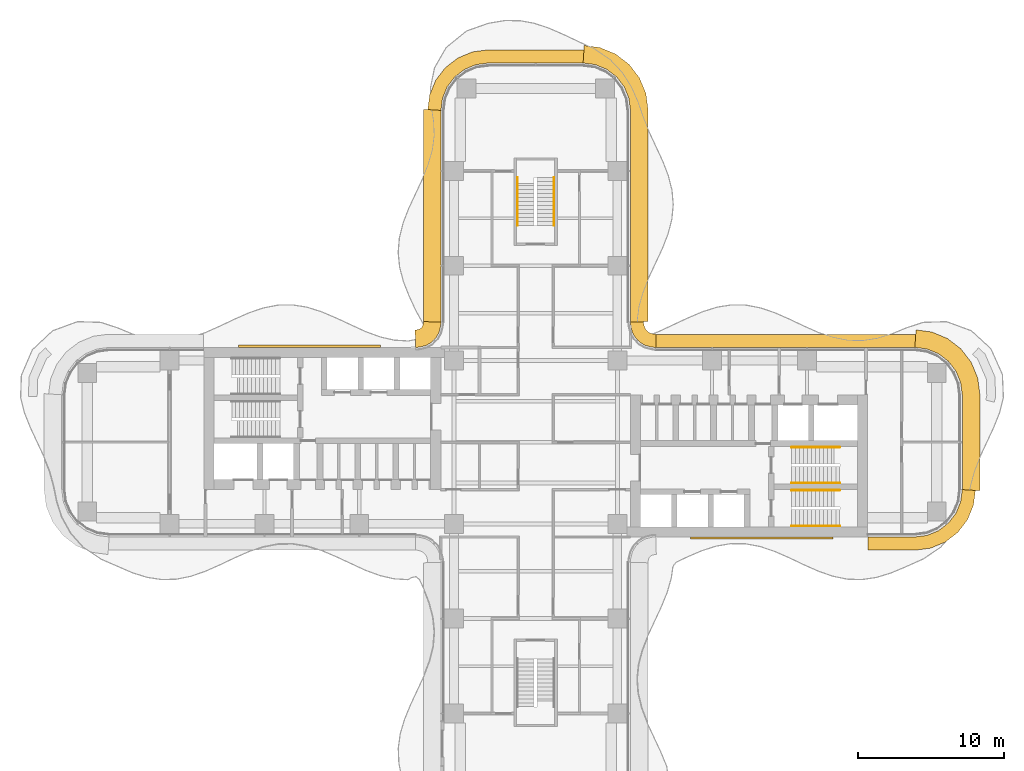
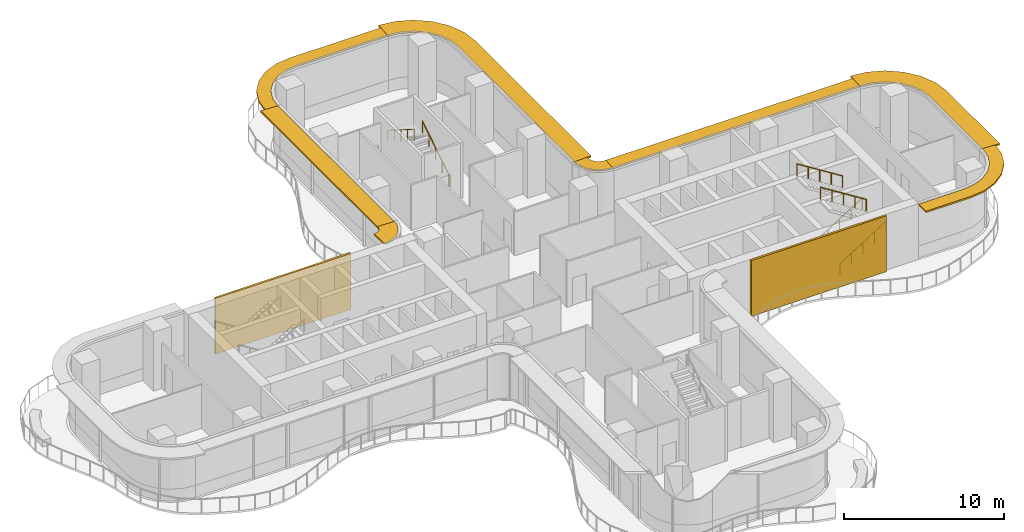
# One storey, part 20 of 20: 8 shading devices, 6 railings, 2 coverings.
"""IFC4 building model written with IfcOpenShell, lengths in metres."""

import ifcopenshell
import ifcopenshell.guid

model = None  # the IFC model being written
_history = None  # IfcOwnerHistory: only IFC2X3 demands one
_inside = {}  # id of a spatial element -> (the spatial element, [elements in it])
_under = {}  # id of a project, library or spatial element -> (it, [spatial elements below it])
_declared = {}  # id of a project -> (the project, [libraries it declares])
_typed = {}  # id of a type object -> (the type object, [elements of that type])
_made_of = {}  # id of a material, layer set ... -> (it, [elements and type objects made of it])


def new_model(schema):
    """Start an empty IFC model of exactly this schema.

    Asked for "IFC4X3", IfcOpenShell would pick the latest addendum, in which some entities
    have other attributes; the version numbers below select the first issue.
    IFC2X3 requires an IfcOwnerHistory on every rooted entity: one is made here for all.
    """
    global model, _history
    if schema == "IFC4X3":
        model = ifcopenshell.file(schema_version=(4, 3, 0, 0))
    else:
        model = ifcopenshell.file(schema=schema)
    _inside.clear()
    _under.clear()
    _declared.clear()
    _typed.clear()
    _made_of.clear()
    _history = None
    if model.schema == "IFC2X3":
        org = make("IfcOrganization", Name="unknown")
        user = make(
            "IfcPersonAndOrganization",
            ThePerson=make("IfcPerson", FamilyName="unknown"),
            TheOrganization=org,
        )
        app = make(
            "IfcApplication",
            ApplicationDeveloper=org,
            Version="unknown",
            ApplicationFullName="unknown",
            ApplicationIdentifier="unknown",
        )
        _history = make(
            "IfcOwnerHistory",
            OwningUser=user,
            OwningApplication=app,
            ChangeAction="ADDED",
            CreationDate=0,
        )
    return model


def make(cls, **values):
    """One entity of the class cls with the attributes given. An attribute that is None is left unset."""
    return model.create_entity(
        cls, **{name: value for name, value in values.items() if value is not None}
    )


def rooted(cls, **values):
    """An entity with a GlobalId (a new one), such as an element, a storey or a relation."""
    return make(cls, GlobalId=ifcopenshell.guid.new(), OwnerHistory=_history, **values)


def si_unit(unit_type, name, prefix=None):
    """IfcSIUnit, for example si_unit("LENGTHUNIT", "METRE", prefix="MILLI")."""
    return make("IfcSIUnit", UnitType=unit_type, Prefix=prefix, Name=name)


def assignment(units):
    """IfcUnitAssignment: the units of a project."""
    return None if units is None else make("IfcUnitAssignment", Units=units)


def point(xyz):
    """IfcCartesianPoint."""
    return None if xyz is None else make("IfcCartesianPoint", Coordinates=xyz)


def direction(xyz):
    """IfcDirection."""
    return None if xyz is None else make("IfcDirection", DirectionRatios=xyz)


def frame(location, z_axis=None, x_axis=None):
    """IfcAxis2Placement3D, a coordinate frame: its origin and axes. An axis left out is left unset."""
    return make(
        "IfcAxis2Placement3D",
        Location=point(location),
        Axis=direction(z_axis),
        RefDirection=direction(x_axis),
    )


def frame_2d(location, x_axis=None):
    """IfcAxis2Placement2D, a coordinate frame in the plane: its origin and x axis."""
    return make(
        "IfcAxis2Placement2D", Location=point(location), RefDirection=direction(x_axis)
    )


def origin():
    """The frame at (0, 0, 0) with its axes left unset."""
    return frame((0.0, 0.0, 0.0))


def origin_2d():
    """The frame at (0, 0) in the plane with its x axis left unset."""
    return frame_2d((0.0, 0.0))


def place(relative_to, where):
    """IfcLocalPlacement: puts the frame where relative to a parent placement (None: the world)."""
    return make(
        "IfcLocalPlacement", PlacementRelTo=relative_to, RelativePlacement=where
    )


def context(
    kind, dimensions, precision=None, world=None, true_north=None, identifier=None
):
    """IfcGeometricRepresentationContext, for example the 3D "Model" context."""
    return make(
        "IfcGeometricRepresentationContext",
        ContextIdentifier=identifier,
        ContextType=kind,
        CoordinateSpaceDimension=dimensions,
        Precision=precision,
        WorldCoordinateSystem=world,
        TrueNorth=true_north,
    )


def subcontext(parent, identifier, kind, view, scale=None):
    """IfcGeometricRepresentationSubContext, for example "Body" below "Model"."""
    return make(
        "IfcGeometricRepresentationSubContext",
        ContextIdentifier=identifier,
        ContextType=kind,
        ParentContext=parent,
        TargetScale=scale,
        TargetView=view,
    )


def project(units=None, contexts=None):
    """IfcProject with its units and contexts."""
    return rooted(
        "IfcProject",
        Name="project",
        RepresentationContexts=contexts,
        UnitsInContext=assignment(units),
    )


def spatial(cls, under=None, at=None, **own):
    """A site, building, storey or space (cls), placed at a placement, below another one or the project."""
    s = rooted(cls, ObjectPlacement=at, **own)
    if under is not None:
        _under.setdefault(under.id(), (under, []))[1].append(s)
    return s


def polyline(points):
    """IfcPolyline through the points."""
    return make("IfcPolyline", Points=[point(p) for p in points])


def profile(cls, at=None, kind="AREA", **sizes):
    """A parametric profile (cls). Its sizes go by their IFC names, for example OverallWidth=200.0."""
    return make(cls, ProfileType=kind, Position=at, **sizes)


def circle(**sizes):
    """IfcCircleProfileDef."""
    return profile("IfcCircleProfileDef", **sizes)


def outline(outer, holes=None, kind="AREA"):
    """IfcArbitraryClosedProfileDef: a profile drawn as a closed curve; with holes, ...WithVoids."""
    if holes is None:
        return make("IfcArbitraryClosedProfileDef", ProfileType=kind, OuterCurve=outer)
    return make(
        "IfcArbitraryProfileDefWithVoids",
        ProfileType=kind,
        OuterCurve=outer,
        InnerCurves=holes,
    )


def extrude(swept, where, along, depth):
    """IfcExtrudedAreaSolid: the profile swept, set in the frame where, extruded along a direction by depth."""
    return make(
        "IfcExtrudedAreaSolid",
        SweptArea=swept,
        Position=where,
        ExtrudedDirection=direction(along),
        Depth=depth,
    )


def shape(context_of_items, identifier, shape_type, items):
    """IfcShapeRepresentation: the items that make up one representation, for example the "Body"."""
    return make(
        "IfcShapeRepresentation",
        ContextOfItems=context_of_items,
        RepresentationIdentifier=identifier,
        RepresentationType=shape_type,
        Items=items,
    )


def source(mapping_origin, context_of_items, identifier, shape_type, items):
    """IfcRepresentationMap: a shape defined once, which mapped items show again and again."""
    return make(
        "IfcRepresentationMap",
        MappingOrigin=mapping_origin,
        MappedRepresentation=shape(context_of_items, identifier, shape_type, items),
    )


def transform(
    local_origin,
    x_axis=None,
    y_axis=None,
    z_axis=None,
    scale=None,
    scale2=None,
    scale3=None,
    uniform=True,
):
    """IfcCartesianTransformationOperator3D, or its non-uniform kind. x_axis, y_axis, z_axis: its Axis1, 2, 3."""
    if uniform:
        return make(
            "IfcCartesianTransformationOperator3D",
            Axis1=direction(x_axis),
            Axis2=direction(y_axis),
            LocalOrigin=point(local_origin),
            Scale=scale,
            Axis3=direction(z_axis),
        )
    return make(
        "IfcCartesianTransformationOperator3DnonUniform",
        Axis1=direction(x_axis),
        Axis2=direction(y_axis),
        LocalOrigin=point(local_origin),
        Scale=scale,
        Axis3=direction(z_axis),
        Scale2=scale2,
        Scale3=scale3,
    )


def mapped(mapping_source, mapping_target):
    """IfcMappedItem: shows the shape of a source again, moved by a transform."""
    return make(
        "IfcMappedItem", MappingSource=mapping_source, MappingTarget=mapping_target
    )


def material(Name=None, Category=None):
    """IfcMaterial."""
    return make("IfcMaterial", Name=Name, Category=Category)


def layer(
    of_material, thickness, ventilated=None, Name=None, Category=None, Priority=None
):
    """IfcMaterialLayer: one layer of a wall or slab, of a material (None: an air gap)."""
    return make(
        "IfcMaterialLayer",
        Material=of_material,
        LayerThickness=thickness,
        IsVentilated=ventilated,
        Name=Name,
        Category=Category,
        Priority=Priority,
    )


def layer_set(layers, Name=None):
    """IfcMaterialLayerSet."""
    return make("IfcMaterialLayerSet", MaterialLayers=layers, LayerSetName=Name)


def made_of(thing, what):
    """Note that an element or type object is made of a material, layer set ...; save() writes the relation."""
    if what is not None:
        _made_of.setdefault(what.id(), (what, []))[1].append(thing)
    return thing


def type_object(cls, material=None, **own):
    """A type object (cls), such as IfcWallType, which elements share."""
    return made_of(rooted(cls, **own), material)


def element(
    cls,
    number,
    at=None,
    inside=None,
    cuts=None,
    type_object=None,
    material=None,
    context=None,
    identifier="Body",
    shape_type=None,
    held_by="IfcProductDefinitionShape",
    body=None,
    shapes=None,
    **own,
):
    """One element of the class cls, such as IfcWall. Its Tag is "e" and its number.

    at: its placement. inside: the storey or other place that contains it. cuts: it is an
    opening in that element (IfcRelVoidsElement). A single representation is given by context,
    identifier, shape_type and body (its items); several are given by shapes. held_by: the class
    of the entity that holds the representations. save() writes the other relations.
    """
    e = rooted(cls, Tag="e%d" % number, ObjectPlacement=at, **own)
    if body is not None:
        shapes = [shape(context, identifier, shape_type, body)]
    if shapes is not None:
        e.Representation = make(held_by, Representations=shapes)
    if inside is not None:
        _inside.setdefault(inside.id(), (inside, []))[1].append(e)
    if cuts is not None:
        rooted(
            "IfcRelVoidsElement", RelatingBuildingElement=cuts, RelatedOpeningElement=e
        )
    if type_object is not None:
        _typed.setdefault(type_object.id(), (type_object, []))[1].append(e)
    return made_of(e, material)


def aggregate(whole, parts):
    """IfcRelAggregates: a whole, such as a stair, and the parts it consists of."""
    return rooted("IfcRelAggregates", RelatingObject=whole, RelatedObjects=parts)


def save(model, path):
    """Write the relations noted so far, then the file.

    IfcRelAggregates (storeys below a building ...), IfcRelContainedInSpatialStructure (elements
    in a storey), IfcRelDefinesByType, IfcRelAssociatesMaterial and IfcRelDeclares: one each for
    every whole, place, type object, material and project.
    """
    for whole, parts in _under.values():
        aggregate(whole, parts)
    for where, things in _inside.values():
        rooted(
            "IfcRelContainedInSpatialStructure",
            RelatedElements=things,
            RelatingStructure=where,
        )
    for kind, things in _typed.values():
        rooted("IfcRelDefinesByType", RelatedObjects=things, RelatingType=kind)
    for what, things in _made_of.values():
        rooted("IfcRelAssociatesMaterial", RelatedObjects=things, RelatingMaterial=what)
    for by, libraries in _declared.values():
        rooted("IfcRelDeclares", RelatingContext=by, RelatedDefinitions=libraries)
    model.write(path)


model = new_model("IFC4")

# Units and contexts
model_context = context("Model", 3, precision=1e-05, world=origin(), true_north=direction((0.0, 1.0)))
body_context = subcontext(model_context, "Body", "Model", "MODEL_VIEW")
ifc_project = project(units=[si_unit("LENGTHUNIT", "METRE"), si_unit("AREAUNIT", "SQUARE_METRE"), si_unit("VOLUMEUNIT", "CUBIC_METRE"), si_unit("PLANEANGLEUNIT", "RADIAN"), si_unit("MASSUNIT", "GRAM", prefix="KILO")], contexts=[model_context])

# Site, building, storey
site_placement = place(None, origin())
site = spatial("IfcSite", under=ifc_project, at=site_placement, CompositionType="ELEMENT")
building_placement = place(site_placement, origin())
building = spatial("IfcBuilding", under=site, at=building_placement, Name="Trellis Farm Tower", CompositionType="ELEMENT")
storey_placement = place(building_placement, frame((0.0, 0.0, 142.5)))
storey = spatial("IfcBuildingStorey", under=building, at=storey_placement, Name="L30", CompositionType="ELEMENT", Elevation=142.5)

# Railings
ifc_material_1 = material(Name="Stainless steel", Category="steel")
railing_type = type_object("IfcRailingType", Name="STAIR HANDRAIL 900", PredefinedType="HANDRAIL", material=ifc_material_1)
shared_shape_1 = source(origin(), body_context, "Body", "SweptSolid", [
    extrude(circle(Radius=0.02392578125, at=origin_2d()), frame((0.0, 0.0, 0.8759765625), z_axis=(0.0, 0.846319618018, 0.532675421018), x_axis=(-1.0, 0.0, 0.0)), (0.0, 0.0, 1.0), 3.89892578125),
    extrude(circle(Radius=0.02099609375, at=origin_2d()), origin(), (0.0, 0.0, 1.0), 0.851806640625),
    extrude(circle(Radius=0.02099609375, at=origin_2d()), frame((0.0, 0.824951171875, 0.519287109375)), (0.0, 0.0, 1.0), 0.851806640625),
    extrude(circle(Radius=0.02099609375, at=origin_2d()), frame((0.0, 1.64990234375, 1.03857421875)), (0.0, 0.0, 1.0), 0.851806640625),
    extrude(circle(Radius=0.02099609375, at=origin_2d()), frame((0.0, 2.474853515625, 1.5576171875)), (0.0, 0.0, 1.0), 0.851806640625),
    extrude(circle(Radius=0.02099609375, at=origin_2d()), frame((0.0, 3.2998046875, 2.076904296875)), (0.0, 0.0, 1.0), 0.851806640625),
])
railing_1_placement = place(storey_placement, frame((1.25, 14.85009765625, 0.173095703125)))
element("IfcRailing", 1, at=railing_1_placement, inside=storey, type_object=railing_type, Name="Stair handrail", PredefinedType="HANDRAIL", context=body_context, shape_type="MappedRepresentation", body=[
    mapped(shared_shape_1, transform((0.0, 0.0, 0.0))),
])
shared_shape_2 = source(origin(), body_context, "Body", "SweptSolid", [
    extrude(circle(Radius=0.02392578125, at=origin_2d()), frame((0.0, 0.0, 0.8759765625), z_axis=(0.0, -0.846319618018, 0.532675421018), x_axis=(1.0, 0.0, 0.0)), (0.0, 0.0, 1.0), 3.89892578125),
    extrude(circle(Radius=0.02099609375, at=origin_2d()), origin(), (0.0, 0.0, 1.0), 0.851806640625),
    extrude(circle(Radius=0.02099609375, at=origin_2d()), frame((0.0, -0.824951171875, 0.519287109375)), (0.0, 0.0, 1.0), 0.851806640625),
    extrude(circle(Radius=0.02099609375, at=origin_2d()), frame((0.0, -1.64990234375, 1.03857421875)), (0.0, 0.0, 1.0), 0.851806640625),
    extrude(circle(Radius=0.02099609375, at=origin_2d()), frame((0.0, -2.474853515625, 1.5576171875)), (0.0, 0.0, 1.0), 0.851806640625),
    extrude(circle(Radius=0.02099609375, at=origin_2d()), frame((0.0, -3.2998046875, 2.076904296875)), (0.0, 0.0, 1.0), 0.851806640625),
])
railing_2_placement = place(storey_placement, frame((-1.25, 18.14990234375, 2.423095703125)))
element("IfcRailing", 2, at=railing_2_placement, inside=storey, type_object=railing_type, Name="Stair handrail", PredefinedType="HANDRAIL", context=body_context, shape_type="MappedRepresentation", body=[
    mapped(shared_shape_2, transform((0.0, 0.0, 0.0))),
])
shared_shape_3 = source(origin(), body_context, "Body", "SweptSolid", [
    extrude(circle(Radius=0.02392578125, at=origin_2d()), frame((0.0, 0.0, 0.8759765625), z_axis=(0.846337383501, 0.0, 0.532647194011), x_axis=(0.0, 1.0, 0.0)), (0.0, 0.0, 1.0), 3.899169921875),
    extrude(circle(Radius=0.02099609375, at=origin_2d()), origin(), (0.0, 0.0, 1.0), 0.851806640625),
    extrude(circle(Radius=0.02099609375, at=origin_2d()), frame((0.824951171875, 0.0, 0.519287109375)), (0.0, 0.0, 1.0), 0.851806640625),
    extrude(circle(Radius=0.02099609375, at=origin_2d()), frame((1.64990234375, 0.0, 1.03857421875)), (0.0, 0.0, 1.0), 0.851806640625),
    extrude(circle(Radius=0.02099609375, at=origin_2d()), frame((2.47509765625, 0.0, 1.5576171875)), (0.0, 0.0, 1.0), 0.851806640625),
    extrude(circle(Radius=0.02099609375, at=origin_2d()), frame((3.300048828125, 0.0, 2.076904296875)), (0.0, 0.0, 1.0), 0.851806640625),
])
for number, where, name in (
    (3, (17.550048828125, -5.75, 0.173095703125), "Stair handrail"),
    (4, (17.550048828125, -2.800048828125, 0.173095703125), "Stair handrail"),
):
    element("IfcRailing", number, at=place(storey_placement, frame(where)), inside=storey, type_object=railing_type, Name=name, PredefinedType="HANDRAIL", context=body_context, shape_type="MappedRepresentation", body=[
        mapped(shared_shape_3, transform((0.0, 0.0, 0.0))),
    ])
shared_shape_4 = source(origin(), body_context, "Body", "SweptSolid", [
    extrude(circle(Radius=0.02392578125, at=origin_2d()), frame((0.0, 0.0, 0.8759765625), z_axis=(-0.846337383501, 0.0, 0.532647194011), x_axis=(0.0, -1.0, 0.0)), (0.0, 0.0, 1.0), 3.899169921875),
    extrude(circle(Radius=0.02099609375, at=origin_2d()), origin(), (0.0, 0.0, 1.0), 0.851806640625),
    extrude(circle(Radius=0.02099609375, at=origin_2d()), frame((-0.824951171875, 0.0, 0.519287109375)), (0.0, 0.0, 1.0), 0.851806640625),
    extrude(circle(Radius=0.02099609375, at=origin_2d()), frame((-1.64990234375, 0.0, 1.03857421875)), (0.0, 0.0, 1.0), 0.851806640625),
    extrude(circle(Radius=0.02099609375, at=origin_2d()), frame((-2.47509765625, 0.0, 1.5576171875)), (0.0, 0.0, 1.0), 0.851806640625),
    extrude(circle(Radius=0.02099609375, at=origin_2d()), frame((-3.300048828125, 0.0, 2.076904296875)), (0.0, 0.0, 1.0), 0.851806640625),
])
for number, where, name in (
    (5, (20.85009765625, -3.300048828125, 2.423095703125), "Stair handrail"),
    (6, (20.85009765625, -0.35009765625, 2.423095703125), "Stair handrail"),
):
    element("IfcRailing", number, at=place(storey_placement, frame(where)), inside=storey, type_object=railing_type, Name=name, PredefinedType="HANDRAIL", context=body_context, shape_type="MappedRepresentation", body=[
        mapped(shared_shape_4, transform((0.0, 0.0, 0.0))),
    ])

# Shading devices
ifc_material_2 = material(Name="Aluminium extrusion 6063-T6", Category="aluminium")
ifc_layer_1 = layer(ifc_material_2, 0.1201171875)
ifc_layer_set_1 = layer_set([ifc_layer_1], Name="SUNSHADE BLADE 900")
shading_device_type_1 = type_object("IfcShadingDeviceType", Name="SUNSHADE BLADE 900", PredefinedType="USERDEFINED", material=ifc_layer_set_1)
shared_shape_5 = source(origin(), body_context, "Body", "SweptSolid", [
    extrude(outline(polyline([(8.2607421875, 7.39990234375), (8.107666015625, 7.409912109375), (8.091552734375, 7.412109375), (7.85595703125, 7.475341796875), (7.697021484375, 7.567138671875), (7.567138671875, 7.697021484375), (7.475341796875, 7.85595703125), (7.412109375, 8.091552734375), (7.409912109375, 8.107666015625), (7.39990234375, 8.2607421875), (6.5, 8.2314453125), (6.513916015625, 8.01953125), (6.527587890625, 7.91552734375), (6.63671875, 7.508544921875), (6.846923828125, 7.144287109375), (7.144287109375, 6.846923828125), (7.508544921875, 6.63671875), (7.91552734375, 6.527587890625), (8.01953125, 6.513916015625), (8.2314453125, 6.5), (8.2607421875, 7.39990234375)])), origin(), (0.0, 0.0, 1.0), 0.119873046875),
])
placement_1 = place(storey_placement, frame((0.0, 0.0, 4.090087890625)))
element("IfcShadingDevice", 7, at=placement_1, inside=storey, type_object=shading_device_type_1, Name="SD1 010", ObjectType="SUNSHADE", PredefinedType="USERDEFINED", context=body_context, shape_type="MappedRepresentation", body=[
    mapped(shared_shape_5, transform((0.0, 0.0, 0.0))),
])
ifc_layer_2 = layer(ifc_material_2, 0.1201171875)
ifc_layer_set_2 = layer_set([ifc_layer_2], Name="SUNSHADE BLADE 1200")
shading_device_type_2 = type_object("IfcShadingDeviceType", Name="SUNSHADE BLADE 1200", PredefinedType="USERDEFINED", material=ifc_layer_set_2)
shared_shape_6 = source(origin(), body_context, "Body", "SweptSolid", [
    extrude(outline(polyline([(-7.699951171875, 8.270751953125), (-7.708740234375, 8.13720703125), (-7.70703125, 8.150146484375), (-7.7548828125, 7.9716796875), (-7.80712890625, 7.881103515625), (-7.881103515625, 7.80712890625), (-7.9716796875, 7.7548828125), (-8.150146484375, 7.70703125), (-8.13720703125, 7.708740234375), (-8.270751953125, 7.699951171875), (-8.2314453125, 6.5), (-8.01953125, 6.513916015625), (-7.91552734375, 6.527587890625), (-7.508544921875, 6.63671875), (-7.144287109375, 6.846923828125), (-6.846923828125, 7.144287109375), (-6.63671875, 7.508544921875), (-6.527587890625, 7.91552734375), (-6.513916015625, 8.01953125), (-6.5, 8.2314453125), (-7.699951171875, 8.270751953125)])), origin(), (0.0, 0.0, 1.0), 0.119873046875),
])
element("IfcShadingDevice", 8, at=placement_1, inside=storey, type_object=shading_device_type_2, Name="SD2 014", ObjectType="SUNSHADE", PredefinedType="USERDEFINED", context=body_context, shape_type="MappedRepresentation", body=[
    mapped(shared_shape_6, transform((0.0, 0.0, 0.0))),
])

# Coverings
ifc_material_3 = material(Name="Perforated precast screen (cobogo)", Category="concrete")
ifc_layer_3 = layer(ifc_material_3, 0.14990234375)
ifc_layer_set_3 = layer_set([ifc_layer_3], Name="COBOGO SCREEN PANEL")
covering_type = type_object("IfcCoveringType", Name="COBOGO SCREEN PANEL", PredefinedType="USERDEFINED", material=ifc_layer_set_3)
shared_shape_7 = source(origin(), body_context, "Body", "SweptSolid", [
    extrude(outline(polyline([(10.630615234375, -6.64990234375), (20.380615234375, -6.64990234375), (20.380615234375, -6.5), (10.630615234375, -6.5), (10.630615234375, -6.64990234375)])), origin(), (0.0, 0.0, 1.0), 4.25),
])
placement_2 = place(storey_placement, origin())
element("IfcCovering", 9, at=placement_2, inside=storey, type_object=covering_type, Name="SC1 01", ObjectType="SCREEN", PredefinedType="USERDEFINED", context=body_context, shape_type="MappedRepresentation", body=[
    mapped(shared_shape_7, transform((0.0, 0.0, 0.0))),
])
shared_shape_8 = source(origin(), body_context, "Body", "SweptSolid", [
    extrude(outline(polyline([(-10.630615234375, 6.64990234375), (-20.380615234375, 6.64990234375), (-20.380615234375, 6.5), (-10.630615234375, 6.5), (-10.630615234375, 6.64990234375)])), origin(), (0.0, 0.0, 1.0), 4.25),
])
element("IfcCovering", 10, at=placement_2, inside=storey, type_object=covering_type, Name="SC1 02", ObjectType="SCREEN", PredefinedType="USERDEFINED", context=body_context, shape_type="MappedRepresentation", body=[
    mapped(shared_shape_8, transform((0.0, 0.0, 0.0))),
])

# Shading devices
shared_shape_9 = source(origin(), body_context, "Body", "SweptSolid", [
    extrude(outline(polyline([(7.699951171875, 8.270751953125), (7.699951171875, 22.82861328125), (7.558349609375, 23.904541015625), (7.11279296875, 24.980224609375), (6.404052734375, 25.904052734375), (5.480224609375, 26.61279296875), (4.404541015625, 27.058349609375), (3.32861328125, 27.199951171875), (3.25, 26.0), (4.091064453125, 25.88916015625), (4.875, 25.564697265625), (5.548095703125, 25.048095703125), (6.064697265625, 24.375), (6.38916015625, 23.591064453125), (6.5, 22.75), (6.5, 8.2314453125), (7.699951171875, 8.270751953125)])), origin(), (0.0, 0.0, 1.0), 0.119873046875),
])
element("IfcShadingDevice", 11, at=placement_1, inside=storey, type_object=shading_device_type_2, Name="SD2 011", ObjectType="SUNSHADE", PredefinedType="USERDEFINED", context=body_context, shape_type="MappedRepresentation", body=[
    mapped(shared_shape_9, transform((0.0, 0.0, 0.0))),
])
shared_shape_10 = source(origin(), body_context, "Body", "SweptSolid", [
    extrude(outline(polyline([(3.30908203125, 26.89990234375), (-3.30908203125, 26.89990234375), (-4.326171875, 26.76611328125), (-5.328857421875, 26.350830078125), (-6.18994140625, 25.68994140625), (-6.850830078125, 24.828857421875), (-7.26611328125, 23.826171875), (-7.39990234375, 22.80908203125), (-6.5, 22.75), (-6.38916015625, 23.591064453125), (-6.064697265625, 24.375), (-5.548095703125, 25.048095703125), (-4.875, 25.564697265625), (-4.091064453125, 25.88916015625), (-3.25, 26.0), (3.25, 26.0), (3.30908203125, 26.89990234375)])), origin(), (0.0, 0.0, 1.0), 0.119873046875),
])
element("IfcShadingDevice", 12, at=placement_1, inside=storey, type_object=shading_device_type_1, Name="SD1 012", ObjectType="SUNSHADE", PredefinedType="USERDEFINED", context=body_context, shape_type="MappedRepresentation", body=[
    mapped(shared_shape_10, transform((0.0, 0.0, 0.0))),
])
shared_shape_11 = source(origin(), body_context, "Body", "SweptSolid", [
    extrude(outline(polyline([(-7.699951171875, 22.82861328125), (-7.699951171875, 8.270751953125), (-6.5, 8.2314453125), (-6.5, 22.75), (-7.699951171875, 22.82861328125)])), origin(), (0.0, 0.0, 1.0), 0.119873046875),
])
element("IfcShadingDevice", 13, at=placement_1, inside=storey, type_object=shading_device_type_2, Name="SD2 013", ObjectType="SUNSHADE", PredefinedType="USERDEFINED", context=body_context, shape_type="MappedRepresentation", body=[
    mapped(shared_shape_11, transform((0.0, 0.0, 0.0))),
])
shared_shape_12 = source(origin(), body_context, "Body", "SweptSolid", [
    extrude(outline(polyline([(22.780029296875, -7.39990234375), (26.05908203125, -7.39990234375), (27.076171875, -7.26611328125), (28.078857421875, -6.850830078125), (28.93994140625, -6.18994140625), (29.600830078125, -5.328857421875), (30.01611328125, -4.326171875), (30.14990234375, -3.30908203125), (29.25, -3.25), (29.13916015625, -4.091064453125), (28.814697265625, -4.875), (28.298095703125, -5.548095703125), (27.625, -6.064697265625), (26.841064453125, -6.38916015625), (26.0, -6.5), (22.780029296875, -6.5), (22.780029296875, -7.39990234375)])), origin(), (0.0, 0.0, 1.0), 0.119873046875),
])
element("IfcShadingDevice", 14, at=placement_1, inside=storey, type_object=shading_device_type_1, Name="SD1 007", ObjectType="SUNSHADE", PredefinedType="USERDEFINED", context=body_context, shape_type="MappedRepresentation", body=[
    mapped(shared_shape_12, transform((0.0, 0.0, 0.0))),
])
shared_shape_13 = source(origin(), body_context, "Body", "SweptSolid", [
    extrude(outline(polyline([(30.449951171875, -3.32861328125), (30.449951171875, 3.32861328125), (30.308349609375, 4.404541015625), (29.86279296875, 5.480224609375), (29.154052734375, 6.404052734375), (28.230224609375, 7.11279296875), (27.154541015625, 7.558349609375), (26.07861328125, 7.699951171875), (26.0, 6.5), (26.841064453125, 6.38916015625), (27.625, 6.064697265625), (28.298095703125, 5.548095703125), (28.814697265625, 4.875), (29.13916015625, 4.091064453125), (29.25, 3.25), (29.25, -3.25), (30.449951171875, -3.32861328125)])), origin(), (0.0, 0.0, 1.0), 0.119873046875),
])
element("IfcShadingDevice", 15, at=placement_1, inside=storey, type_object=shading_device_type_2, Name="SD2 008", ObjectType="SUNSHADE", PredefinedType="USERDEFINED", context=body_context, shape_type="MappedRepresentation", body=[
    mapped(shared_shape_13, transform((0.0, 0.0, 0.0))),
])
shared_shape_14 = source(origin(), body_context, "Body", "SweptSolid", [
    extrude(outline(polyline([(26.05908203125, 7.39990234375), (8.2607421875, 7.39990234375), (8.2314453125, 6.5), (26.0, 6.5), (26.05908203125, 7.39990234375)])), origin(), (0.0, 0.0, 1.0), 0.119873046875),
])
element("IfcShadingDevice", 16, at=placement_1, inside=storey, type_object=shading_device_type_1, Name="SD1 009", ObjectType="SUNSHADE", PredefinedType="USERDEFINED", context=body_context, shape_type="MappedRepresentation", body=[
    mapped(shared_shape_14, transform((0.0, 0.0, 0.0))),
])

save(model, "model.ifc")
